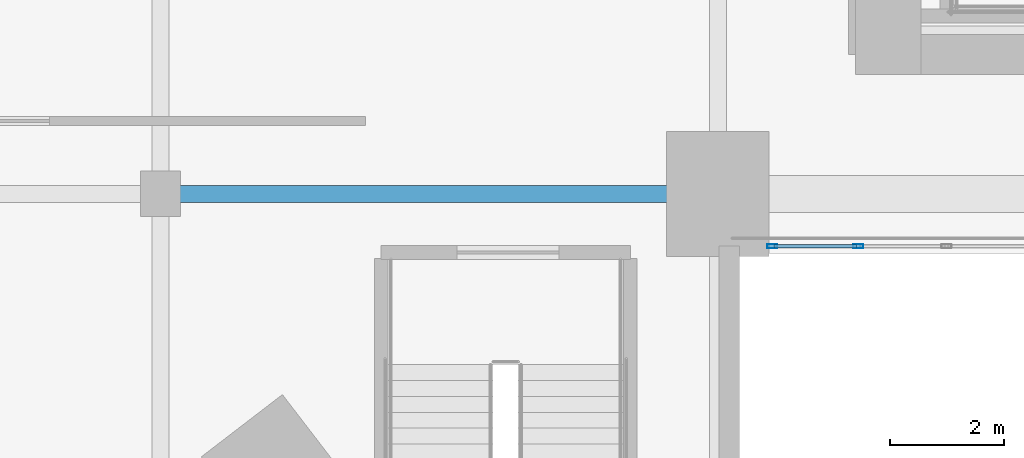
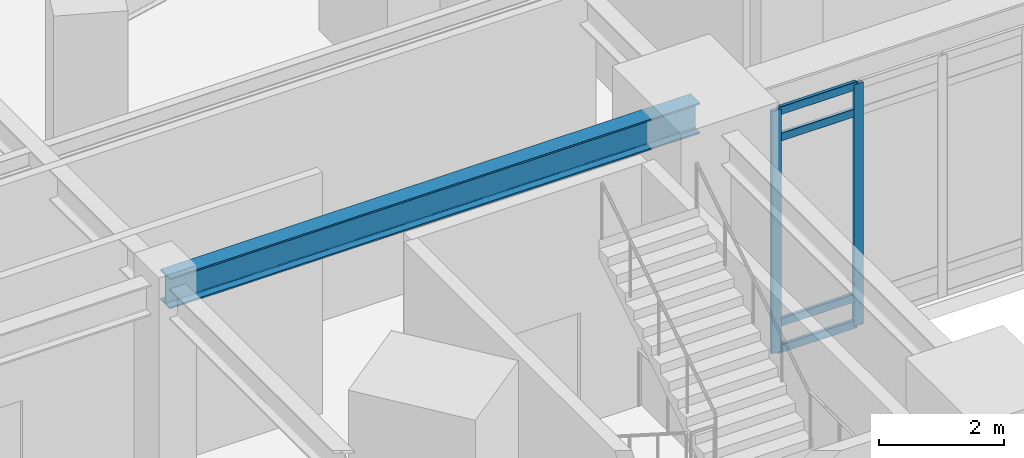
# One storey, part 2 of 26: 6 members, 1 beam, 1 element without a shape of its own.
"""IFC4 building model written with IfcOpenShell, lengths in metres."""

from ifc_helpers import new_model, si_unit, direction, frame, origin, origin_2d, place, context, subcontext, project, spatial, hollow_rectangle, i_section, extrude, material, layer, layer_set, material_profile, profile_set, type_object, element, aggregate, save


model = new_model("IFC4")

# Units and contexts
model_context = context("Model", 3, precision=1e-05, world=origin(), true_north=direction((0.0, 1.0)))
body_context = subcontext(model_context, "Body", "Model", "MODEL_VIEW")
ifc_project = project(units=[si_unit("LENGTHUNIT", "METRE"), si_unit("AREAUNIT", "SQUARE_METRE"), si_unit("VOLUMEUNIT", "CUBIC_METRE"), si_unit("PLANEANGLEUNIT", "RADIAN"), si_unit("MASSUNIT", "GRAM", prefix="KILO")], contexts=[model_context])

# Site, building, storey
site_placement = place(None, origin())
site = spatial("IfcSite", under=ifc_project, at=site_placement, CompositionType="ELEMENT")
building_placement = place(site_placement, origin())
building = spatial("IfcBuilding", under=site, at=building_placement, Name="Ndelora Gate Hotel", CompositionType="ELEMENT")
storey_placement = place(building_placement, frame((0.0, 0.0, 6.0)))
storey = spatial("IfcBuildingStorey", under=building, at=storey_placement, Name="L01", CompositionType="ELEMENT", Elevation=6.0)

# Beam
ifc_material_1 = material(Name="Steel S355", Category="steel")
ifc_material_profile_1 = material_profile(ifc_material_1, i_section(OverallWidth=0.300048828125, OverallDepth=0.60009765625, WebThickness=0.015380859375, FlangeThickness=0.030029296875, FilletRadius=0.027099609375, at=origin_2d()), Name="HEB 600")
ifc_profile_set_1 = profile_set([ifc_material_profile_1], Name="Steel S355")
beam_type = type_object("IfcBeamType", Name="BM-POD-600", PredefinedType="BEAM", material=ifc_profile_set_1)
beam_placement = place(storey_placement, frame((-20.800048828125, -9.39990234375, 4.419921875), z_axis=(1.0, 0.0, 0.0), x_axis=(0.0, 1.0, 0.0)))
element("IfcBeam", 1, at=beam_placement, inside=storey, type_object=beam_type, Name="L01 Podium Transverse Girder Y=-9.4", PredefinedType="BEAM", context=body_context, shape_type="SweptSolid", body=[
    extrude(i_section(OverallWidth=0.300048828125, OverallDepth=0.60009765625, WebThickness=0.015380859375, FlangeThickness=0.030029296875, FilletRadius=0.027099609375, at=origin_2d()), origin(), (0.0, 0.0, 1.0), 9.800048828125),
])

# Curtain wall, members
ifc_material_2 = material(Name="Bronze Anodised Unitised Aluminium and Low-E Glass", Category="aluminium")
ifc_layer = layer(ifc_material_2, 0.239990234375)
ifc_layer_set = layer_set([ifc_layer], Name="Bronze Anodised Unitised Aluminium and Low-E Glass")
curtain_wall_type = type_object("IfcCurtainWallType", Name="CW-SYS-1", PredefinedType="NOTDEFINED", material=ifc_layer_set)
curtain_wall_placement = place(storey_placement, origin())
curtain_wall = element("IfcCurtainWall", 2, at=curtain_wall_placement, inside=storey, type_object=curtain_wall_type, Name="L01 South Portal Arch Concourse Curtain Wall CW1", PredefinedType="NOTDEFINED")
ifc_material_3 = material(Name="Bronze Anodised Aluminium 6063-T6", Category="aluminium")
ifc_material_profile_2 = material_profile(ifc_material_3, hollow_rectangle(XDim=0.070068359375, YDim=0.179931640625, WallThickness=0.0048828125, InnerFilletRadius=0.0048828125, OuterFilletRadius=0.010009765625, at=origin_2d()), Name="ALU 180x70x5")
ifc_profile_set_2 = profile_set([ifc_material_profile_2], Name="Bronze Anodised Aluminium 6063-T6")
member_type_1 = type_object("IfcMemberType", Name="MB-CW-MUL180", PredefinedType="MULLION", material=ifc_profile_set_2)
member_1_placement = place(storey_placement, frame((-10.044921875, -10.320068359375, -0.00390625), z_axis=(0.0, 0.0, 1.0), x_axis=(0.0, 1.0, 0.0)))
member_1 = element("IfcMember", 3, at=member_1_placement, type_object=member_type_1, Name="CW1 mullion 1", PredefinedType="MULLION", context=body_context, shape_type="SweptSolid", body=[
    extrude(hollow_rectangle(XDim=0.070068359375, YDim=0.179931640625, WallThickness=0.0048828125, InnerFilletRadius=0.0048828125, OuterFilletRadius=0.010009765625, at=origin_2d()), origin(), (0.0, 0.0, 1.0), 4.72802734375),
])
member_2_placement = place(storey_placement, frame((-8.529296875, -10.320068359375, -0.00390625), z_axis=(0.0, 0.0, 1.0), x_axis=(0.0, 1.0, 0.0)))
member_2 = element("IfcMember", 4, at=member_2_placement, type_object=member_type_1, Name="CW1 mullion 2", PredefinedType="MULLION", context=body_context, shape_type="SweptSolid", body=[
    extrude(hollow_rectangle(XDim=0.070068359375, YDim=0.179931640625, WallThickness=0.0048828125, InnerFilletRadius=0.0048828125, OuterFilletRadius=0.010009765625, at=origin_2d()), origin(), (0.0, 0.0, 1.0), 4.72802734375),
])
ifc_material_profile_3 = material_profile(ifc_material_3, hollow_rectangle(XDim=0.06494140625, YDim=0.159912109375, WallThickness=0.00390625, InnerFilletRadius=0.00390625, OuterFilletRadius=0.008056640625, at=origin_2d()), Name="ALU 160x65x4")
ifc_profile_set_3 = profile_set([ifc_material_profile_3], Name="Bronze Anodised Aluminium 6063-T6")
member_type_2 = type_object("IfcMemberType", Name="MB-CW-TRN150", PredefinedType="USERDEFINED", material=ifc_profile_set_3)
member_3_placement = place(storey_placement, frame((-10.01611328125, -10.320068359375, 0.032470703125), z_axis=(1.0, 0.0, 0.0), x_axis=(0.0, 1.0, 0.0)))
member_3 = element("IfcMember", 5, at=member_3_placement, type_object=member_type_2, Name="CW1 transom 1.1", ObjectType="TRANSOM", PredefinedType="USERDEFINED", context=body_context, shape_type="SweptSolid", body=[
    extrude(hollow_rectangle(XDim=0.06494140625, YDim=0.159912109375, WallThickness=0.00390625, InnerFilletRadius=0.00390625, OuterFilletRadius=0.008056640625, at=origin_2d()), origin(), (0.0, 0.0, 1.0), 1.457763671875),
])
member_4_placement = place(storey_placement, frame((-10.01611328125, -10.320068359375, 0.550048828125), z_axis=(1.0, 0.0, 0.0), x_axis=(0.0, 1.0, 0.0)))
member_4 = element("IfcMember", 6, at=member_4_placement, type_object=member_type_2, Name="CW1 transom 1.2", ObjectType="TRANSOM", PredefinedType="USERDEFINED", context=body_context, shape_type="SweptSolid", body=[
    extrude(hollow_rectangle(XDim=0.06494140625, YDim=0.159912109375, WallThickness=0.00390625, InnerFilletRadius=0.00390625, OuterFilletRadius=0.008056640625, at=origin_2d()), origin(), (0.0, 0.0, 1.0), 1.457763671875),
])
member_5_placement = place(storey_placement, frame((-10.01611328125, -10.320068359375, 4.169921875), z_axis=(1.0, 0.0, 0.0), x_axis=(0.0, 1.0, 0.0)))
member_5 = element("IfcMember", 7, at=member_5_placement, type_object=member_type_2, Name="CW1 transom 1.3", ObjectType="TRANSOM", PredefinedType="USERDEFINED", context=body_context, shape_type="SweptSolid", body=[
    extrude(hollow_rectangle(XDim=0.06494140625, YDim=0.159912109375, WallThickness=0.00390625, InnerFilletRadius=0.00390625, OuterFilletRadius=0.008056640625, at=origin_2d()), origin(), (0.0, 0.0, 1.0), 1.457763671875),
])
member_6_placement = place(storey_placement, frame((-10.01611328125, -10.320068359375, 4.6875), z_axis=(1.0, 0.0, 0.0), x_axis=(0.0, 1.0, 0.0)))
member_6 = element("IfcMember", 8, at=member_6_placement, type_object=member_type_2, Name="CW1 transom 1.4", ObjectType="TRANSOM", PredefinedType="USERDEFINED", context=body_context, shape_type="SweptSolid", body=[
    extrude(hollow_rectangle(XDim=0.06494140625, YDim=0.159912109375, WallThickness=0.00390625, InnerFilletRadius=0.00390625, OuterFilletRadius=0.008056640625, at=origin_2d()), origin(), (0.0, 0.0, 1.0), 1.457763671875),
])
aggregate(curtain_wall, [member_1, member_2, member_3, member_4, member_5, member_6])

save(model, "model.ifc")
